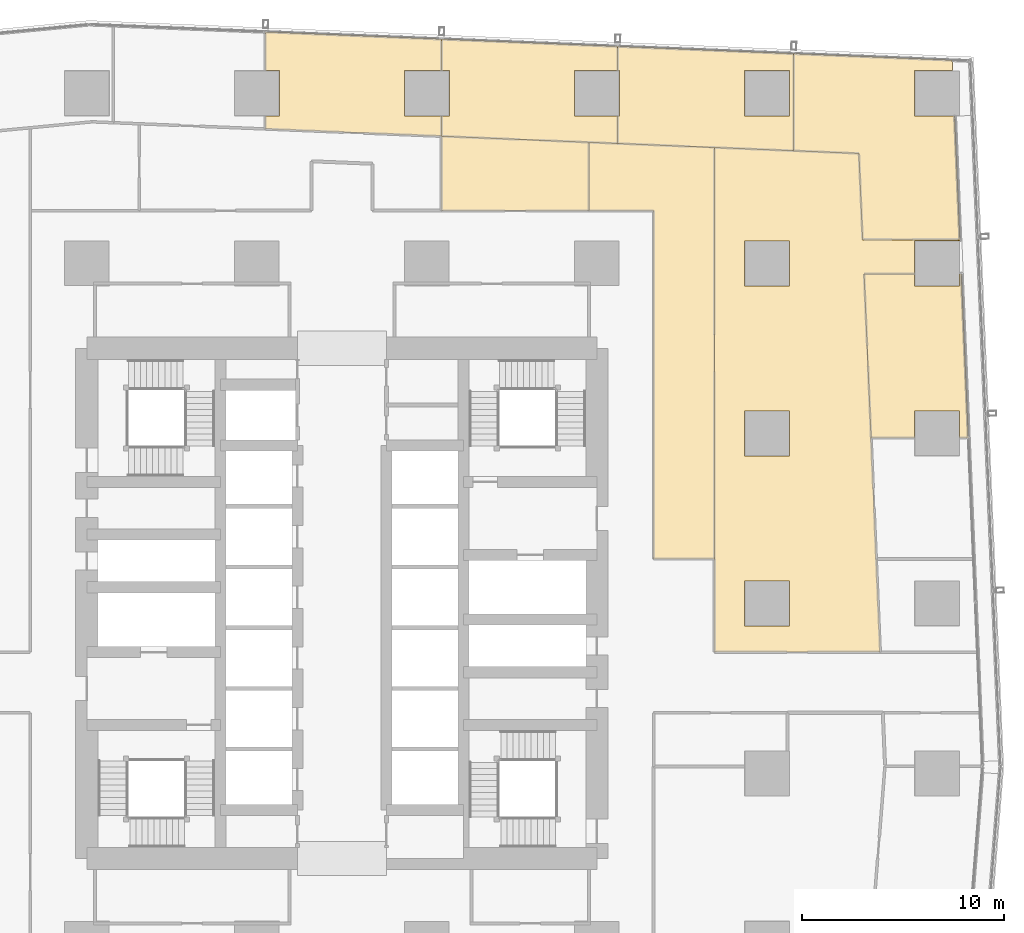
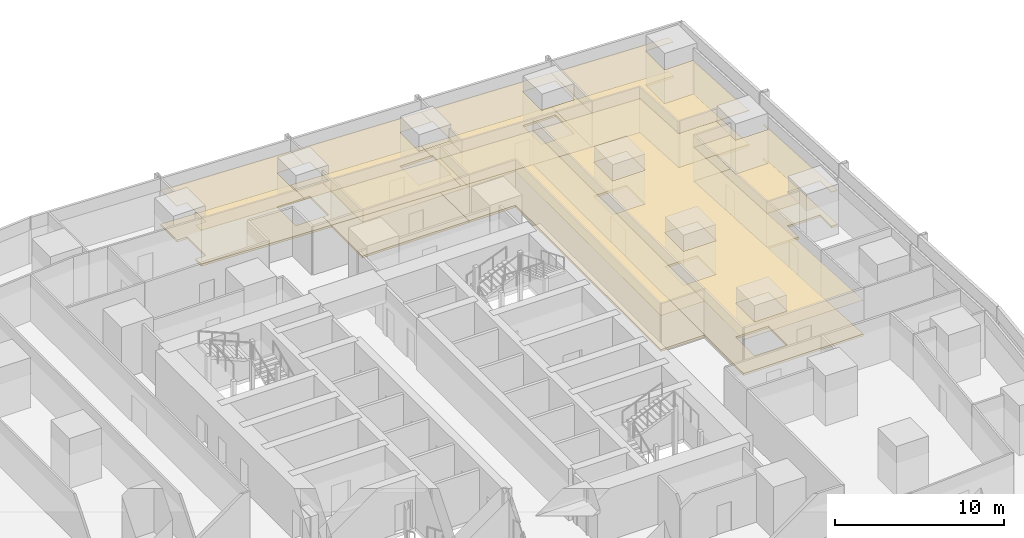
# One storey, part 44 of 44: 16 coverings.
"""IFC4 building model written with IfcOpenShell, lengths in metres."""

from ifc_helpers import new_model, si_unit, direction, frame, origin, place, context, subcontext, project, spatial, polyline, outline, extrude, material, layer, layer_set, type_object, element, save


model = new_model("IFC4")

# Units and contexts
model_context = context("Model", 3, precision=1e-05, world=origin(), true_north=direction((0.0, 1.0)))
body_context = subcontext(model_context, "Body", "Model", "MODEL_VIEW")
ifc_project = project(units=[si_unit("LENGTHUNIT", "METRE"), si_unit("AREAUNIT", "SQUARE_METRE"), si_unit("VOLUMEUNIT", "CUBIC_METRE"), si_unit("PLANEANGLEUNIT", "RADIAN"), si_unit("MASSUNIT", "GRAM", prefix="KILO")], contexts=[model_context])

# Site, building, storey
site_placement = place(None, origin())
site = spatial("IfcSite", under=ifc_project, at=site_placement, CompositionType="ELEMENT")
building_placement = place(site_placement, origin())
building = spatial("IfcBuilding", under=site, at=building_placement, Name="Rekha Terrace Tower", CompositionType="ELEMENT")
storey_placement = place(building_placement, frame((0.0, 0.0, 51.64990234375)))
storey = spatial("IfcBuildingStorey", under=building, at=storey_placement, Name="L12", CompositionType="ELEMENT", Elevation=51.64990234375)

# Coverings
ifc_material_1 = material(Name="Mineral fibre tile in exposed grid", Category="finish")
ifc_layer_1 = layer(ifc_material_1, 0.02001953125)
ifc_layer_set_1 = layer_set([ifc_layer_1], Name="Mineral fibre tile in exposed grid")
covering_type_1 = type_object("IfcCoveringType", Name="CL1 600x1200 office grid ceiling", PredefinedType="CEILING", material=ifc_layer_set_1)
covering_1_placement = place(storey_placement, frame((0.0, 0.0, 2.580078125)))
element("IfcCovering", 1, at=covering_1_placement, inside=storey, type_object=covering_type_1, Name="Ceiling L12-08", PredefinedType="CEILING", context=body_context, shape_type="SweptSolid", body=[
    extrude(outline(polyline([(68.31494140625, 41.781982421875), (68.742919921875, 41.781982421875), (68.39697265625, 49.87890625), (68.31494140625, 49.87890625), (68.31494140625, 49.284912109375), (66.0849609375, 49.284912109375), (66.0849609375, 49.87890625), (63.593017578125, 49.87890625), (63.93896484375, 41.781982421875), (66.0849609375, 41.781982421875), (66.0849609375, 43.114990234375), (68.31494140625, 43.114990234375), (68.31494140625, 41.781982421875)])), origin(), (0.0, 0.0, 1.0), 0.02001953125),
])
covering_2_placement = place(storey_placement, frame((0.0, 0.0, 2.580078125)))
element("IfcCovering", 2, at=covering_2_placement, inside=storey, type_object=covering_type_1, Name="Ceiling L12-09", PredefinedType="CEILING", context=body_context, shape_type="SweptSolid", body=[
    extrude(outline(polyline([(67.946044921875, 60.443115234375), (60.112060546875, 60.76611328125), (60.112060546875, 55.9619140625), (63.339111328125, 55.8291015625), (63.52099609375, 51.556884765625), (68.325927734375, 51.556884765625), (68.06396484375, 57.68505859375), (66.0849609375, 57.68505859375), (66.0849609375, 59.9150390625), (67.968994140625, 59.9150390625), (67.946044921875, 60.443115234375)])), origin(), (0.0, 0.0, 1.0), 0.02001953125),
])
covering_3_placement = place(storey_placement, frame((0.0, 0.0, 2.580078125)))
element("IfcCovering", 3, at=covering_3_placement, inside=storey, type_object=covering_type_1, Name="Ceiling L12-10", PredefinedType="CEILING", context=body_context, shape_type="SweptSolid", body=[
    extrude(outline(polyline([(60.111083984375, 55.9619140625), (60.111083984375, 60.76611328125), (51.416015625, 61.1240234375), (51.416015625, 59.9150390625), (51.514892578125, 59.9150390625), (51.514892578125, 57.68505859375), (51.416015625, 57.68505859375), (51.416015625, 56.320068359375), (60.111083984375, 55.9619140625)]), holes=[polyline([(59.9150390625, 57.68505859375), (57.68505859375, 57.68505859375), (57.68505859375, 59.9150390625), (59.9150390625, 59.9150390625), (59.9150390625, 57.68505859375)])]), origin(), (0.0, 0.0, 1.0), 0.02001953125),
])
covering_4_placement = place(storey_placement, frame((0.0, 0.0, 2.580078125)))
element("IfcCovering", 4, at=covering_4_placement, inside=storey, type_object=covering_type_1, Name="Ceiling L12-11", PredefinedType="CEILING", context=body_context, shape_type="SweptSolid", body=[
    extrude(outline(polyline([(51.4150390625, 59.9150390625), (51.4150390625, 61.125), (42.718994140625, 61.48291015625), (42.718994140625, 59.9150390625), (43.114990234375, 59.9150390625), (43.114990234375, 57.68505859375), (42.718994140625, 57.68505859375), (42.718994140625, 56.678955078125), (51.4150390625, 56.320068359375), (51.4150390625, 57.68505859375), (49.284912109375, 57.68505859375), (49.284912109375, 59.9150390625), (51.4150390625, 59.9150390625)])), origin(), (0.0, 0.0, 1.0), 0.02001953125),
])
covering_5_placement = place(storey_placement, frame((0.0, 0.0, 2.580078125)))
element("IfcCovering", 5, at=covering_5_placement, inside=storey, type_object=covering_type_1, Name="Ceiling L12-12", PredefinedType="CEILING", context=body_context, shape_type="SweptSolid", body=[
    extrude(outline(polyline([(50.0, 53.0), (50.0, 56.37890625), (42.718994140625, 56.678955078125), (42.718994140625, 53.0), (50.0, 53.0)])), origin(), (0.0, 0.0, 1.0), 0.02001953125),
])
covering_6_placement = place(storey_placement, frame((0.0, 0.0, 2.580078125)))
element("IfcCovering", 6, at=covering_6_placement, inside=storey, type_object=covering_type_1, Name="Ceiling L12-13", PredefinedType="CEILING", context=body_context, shape_type="SweptSolid", body=[
    extrude(outline(polyline([(53.199951171875, 35.800048828125), (56.199951171875, 35.800048828125), (56.199951171875, 56.123046875), (51.14794921875, 56.3310546875), (50.0, 56.37890625), (50.0, 53.0), (53.199951171875, 53.0), (53.199951171875, 35.800048828125)])), origin(), (0.0, 0.0, 1.0), 0.02001953125),
])
covering_7_placement = place(storey_placement, frame((0.0, 0.0, 2.580078125)))
element("IfcCovering", 7, at=covering_7_placement, inside=storey, type_object=covering_type_1, Name="Ceiling L12-O3", PredefinedType="CEILING", context=body_context, shape_type="SweptSolid", body=[
    extrude(outline(polyline([(63.339111328125, 55.8291015625), (60.111083984375, 55.9619140625), (56.199951171875, 56.123046875), (56.199951171875, 31.199951171875), (64.39111328125, 31.199951171875), (64.193115234375, 35.81396484375), (63.93798828125, 41.797119140625), (63.593017578125, 49.87890625), (66.0849609375, 49.87890625), (66.0849609375, 51.514892578125), (68.327880859375, 51.514892578125), (68.325927734375, 51.556884765625), (63.52099609375, 51.556884765625), (63.339111328125, 55.8291015625)]), holes=[polyline([(59.9150390625, 32.485107421875), (57.68505859375, 32.485107421875), (57.68505859375, 34.715087890625), (59.9150390625, 34.715087890625), (59.9150390625, 32.485107421875)]), polyline([(59.9150390625, 40.885009765625), (57.68505859375, 40.885009765625), (57.68505859375, 43.114990234375), (59.9150390625, 43.114990234375), (59.9150390625, 40.885009765625)]), polyline([(59.9150390625, 49.284912109375), (57.68505859375, 49.284912109375), (57.68505859375, 51.514892578125), (59.9150390625, 51.514892578125), (59.9150390625, 49.284912109375)])]), origin(), (0.0, 0.0, 1.0), 0.02001953125),
])
covering_8_placement = place(storey_placement, frame((0.0, 0.0, 2.580078125)))
element("IfcCovering", 8, at=covering_8_placement, inside=storey, type_object=covering_type_1, Name="Ceiling L12-14", PredefinedType="CEILING", context=body_context, shape_type="SweptSolid", body=[
    extrude(outline(polyline([(34.715087890625, 57.68505859375), (34.02294921875, 57.68505859375), (34.02294921875, 57.037109375), (42.718017578125, 56.678955078125), (42.718017578125, 57.68505859375), (40.885009765625, 57.68505859375), (40.885009765625, 59.9150390625), (42.718017578125, 59.9150390625), (42.718017578125, 61.48291015625), (34.02294921875, 61.841064453125), (34.02294921875, 59.9150390625), (34.715087890625, 59.9150390625), (34.715087890625, 57.68505859375)])), origin(), (0.0, 0.0, 1.0), 0.02001953125),
])
ifc_material_2 = material(Name="Calcium sulphate panels on steel pedestals", Category="steel")
ifc_layer_2 = layer(ifc_material_2, 0.14990234375)
ifc_layer_set_2 = layer_set([ifc_layer_2], Name="Calcium sulphate panels on steel pedestals")
covering_type_2 = type_object("IfcCoveringType", Name="RF1 150 raised access floor", PredefinedType="FLOORING", material=ifc_layer_set_2)
covering_9_placement = place(storey_placement, origin())
element("IfcCovering", 9, at=covering_9_placement, inside=storey, type_object=covering_type_2, Name="Raised floor L12-08", PredefinedType="FLOORING", context=body_context, shape_type="SweptSolid", body=[
    extrude(outline(polyline([(68.31494140625, 41.781982421875), (68.742919921875, 41.781982421875), (68.39697265625, 49.87890625), (68.31494140625, 49.87890625), (68.31494140625, 49.284912109375), (66.0849609375, 49.284912109375), (66.0849609375, 49.87890625), (63.593017578125, 49.87890625), (63.93896484375, 41.781982421875), (66.0849609375, 41.781982421875), (66.0849609375, 43.114990234375), (68.31494140625, 43.114990234375), (68.31494140625, 41.781982421875)])), origin(), (0.0, 0.0, 1.0), 0.150146484375),
])
covering_10_placement = place(storey_placement, origin())
element("IfcCovering", 10, at=covering_10_placement, inside=storey, type_object=covering_type_2, Name="Raised floor L12-09", PredefinedType="FLOORING", context=body_context, shape_type="SweptSolid", body=[
    extrude(outline(polyline([(67.946044921875, 60.443115234375), (60.112060546875, 60.76611328125), (60.112060546875, 55.9619140625), (63.339111328125, 55.8291015625), (63.52099609375, 51.556884765625), (68.325927734375, 51.556884765625), (68.06396484375, 57.68505859375), (66.0849609375, 57.68505859375), (66.0849609375, 59.9150390625), (67.968994140625, 59.9150390625), (67.946044921875, 60.443115234375)])), origin(), (0.0, 0.0, 1.0), 0.150146484375),
])
covering_11_placement = place(storey_placement, origin())
element("IfcCovering", 11, at=covering_11_placement, inside=storey, type_object=covering_type_2, Name="Raised floor L12-10", PredefinedType="FLOORING", context=body_context, shape_type="SweptSolid", body=[
    extrude(outline(polyline([(60.111083984375, 55.9619140625), (60.111083984375, 60.76611328125), (51.416015625, 61.1240234375), (51.416015625, 59.9150390625), (51.514892578125, 59.9150390625), (51.514892578125, 57.68505859375), (51.416015625, 57.68505859375), (51.416015625, 56.320068359375), (60.111083984375, 55.9619140625)]), holes=[polyline([(59.9150390625, 57.68505859375), (57.68505859375, 57.68505859375), (57.68505859375, 59.9150390625), (59.9150390625, 59.9150390625), (59.9150390625, 57.68505859375)])]), origin(), (0.0, 0.0, 1.0), 0.150146484375),
])
covering_12_placement = place(storey_placement, origin())
element("IfcCovering", 12, at=covering_12_placement, inside=storey, type_object=covering_type_2, Name="Raised floor L12-11", PredefinedType="FLOORING", context=body_context, shape_type="SweptSolid", body=[
    extrude(outline(polyline([(51.4150390625, 59.9150390625), (51.4150390625, 61.125), (42.718994140625, 61.48291015625), (42.718994140625, 59.9150390625), (43.114990234375, 59.9150390625), (43.114990234375, 57.68505859375), (42.718994140625, 57.68505859375), (42.718994140625, 56.678955078125), (51.4150390625, 56.320068359375), (51.4150390625, 57.68505859375), (49.284912109375, 57.68505859375), (49.284912109375, 59.9150390625), (51.4150390625, 59.9150390625)])), origin(), (0.0, 0.0, 1.0), 0.150146484375),
])
covering_13_placement = place(storey_placement, origin())
element("IfcCovering", 13, at=covering_13_placement, inside=storey, type_object=covering_type_2, Name="Raised floor L12-12", PredefinedType="FLOORING", context=body_context, shape_type="SweptSolid", body=[
    extrude(outline(polyline([(50.0, 53.0), (50.0, 56.37890625), (42.718994140625, 56.678955078125), (42.718994140625, 53.0), (50.0, 53.0)])), origin(), (0.0, 0.0, 1.0), 0.150146484375),
])
covering_14_placement = place(storey_placement, origin())
element("IfcCovering", 14, at=covering_14_placement, inside=storey, type_object=covering_type_2, Name="Raised floor L12-13", PredefinedType="FLOORING", context=body_context, shape_type="SweptSolid", body=[
    extrude(outline(polyline([(53.199951171875, 35.800048828125), (56.199951171875, 35.800048828125), (56.199951171875, 56.123046875), (51.14794921875, 56.3310546875), (50.0, 56.37890625), (50.0, 53.0), (53.199951171875, 53.0), (53.199951171875, 35.800048828125)])), origin(), (0.0, 0.0, 1.0), 0.150146484375),
])
covering_15_placement = place(storey_placement, origin())
element("IfcCovering", 15, at=covering_15_placement, inside=storey, type_object=covering_type_2, Name="Raised floor L12-O3", PredefinedType="FLOORING", context=body_context, shape_type="SweptSolid", body=[
    extrude(outline(polyline([(63.339111328125, 55.8291015625), (60.111083984375, 55.9619140625), (56.199951171875, 56.123046875), (56.199951171875, 31.199951171875), (64.39111328125, 31.199951171875), (64.193115234375, 35.81396484375), (63.93798828125, 41.797119140625), (63.593017578125, 49.87890625), (66.0849609375, 49.87890625), (66.0849609375, 51.514892578125), (68.327880859375, 51.514892578125), (68.325927734375, 51.556884765625), (63.52099609375, 51.556884765625), (63.339111328125, 55.8291015625)]), holes=[polyline([(59.9150390625, 32.485107421875), (57.68505859375, 32.485107421875), (57.68505859375, 34.715087890625), (59.9150390625, 34.715087890625), (59.9150390625, 32.485107421875)]), polyline([(59.9150390625, 40.885009765625), (57.68505859375, 40.885009765625), (57.68505859375, 43.114990234375), (59.9150390625, 43.114990234375), (59.9150390625, 40.885009765625)]), polyline([(59.9150390625, 49.284912109375), (57.68505859375, 49.284912109375), (57.68505859375, 51.514892578125), (59.9150390625, 51.514892578125), (59.9150390625, 49.284912109375)])]), origin(), (0.0, 0.0, 1.0), 0.150146484375),
])
covering_16_placement = place(storey_placement, origin())
element("IfcCovering", 16, at=covering_16_placement, inside=storey, type_object=covering_type_2, Name="Raised floor L12-14", PredefinedType="FLOORING", context=body_context, shape_type="SweptSolid", body=[
    extrude(outline(polyline([(34.715087890625, 57.68505859375), (34.02294921875, 57.68505859375), (34.02294921875, 57.037109375), (42.718017578125, 56.678955078125), (42.718017578125, 57.68505859375), (40.885009765625, 57.68505859375), (40.885009765625, 59.9150390625), (42.718017578125, 59.9150390625), (42.718017578125, 61.48291015625), (34.02294921875, 61.841064453125), (34.02294921875, 59.9150390625), (34.715087890625, 59.9150390625), (34.715087890625, 57.68505859375)])), origin(), (0.0, 0.0, 1.0), 0.150146484375),
])

save(model, "model.ifc")
